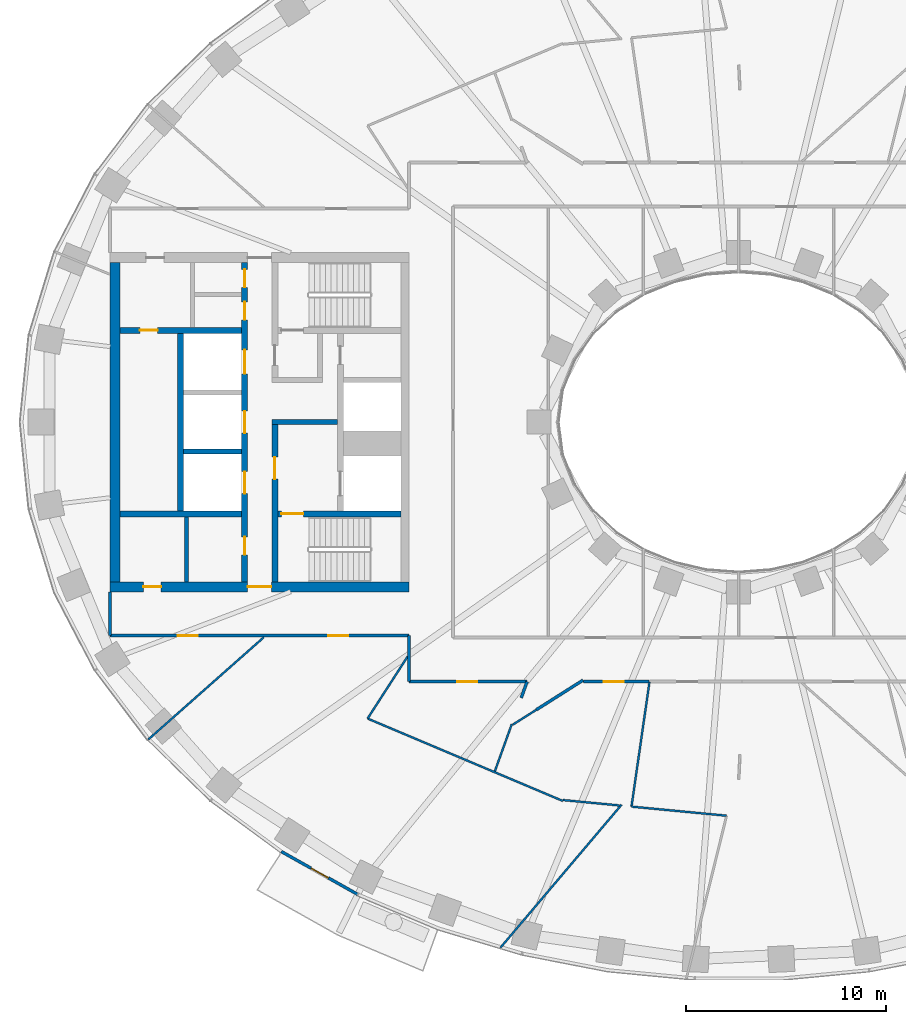
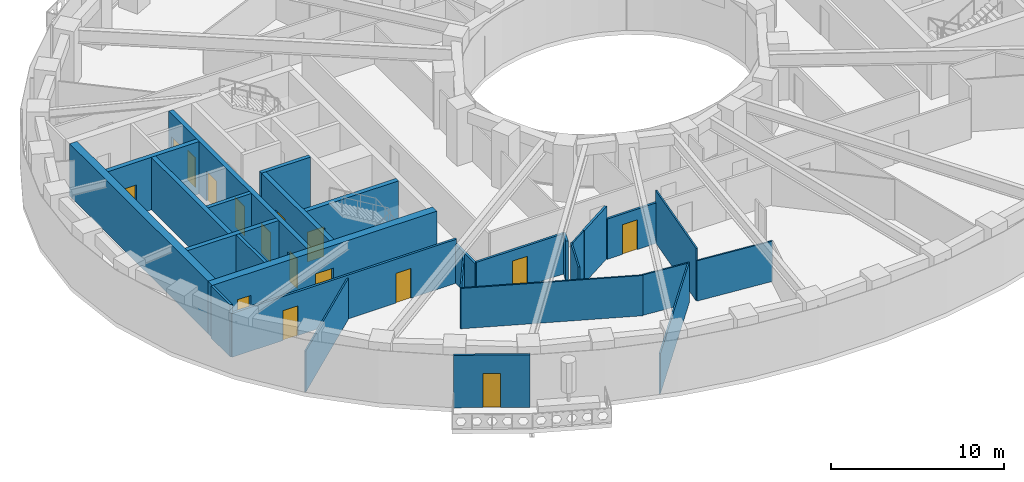
# One storey, part 3 of 15: 28 walls, 16 doors, 16 openings.
"""IFC4 building model written with IfcOpenShell, lengths in metres."""

from ifc_helpers import new_model, si_unit, direction, frame, frame_2d, origin, place, context, subcontext, project, spatial, rectangle, extrude, material, layer, layer_set, type_object, element, fill, save


model = new_model("IFC4")

# Units and contexts
model_context = context("Model", 3, precision=1e-05, world=origin(), true_north=direction((0.0, 1.0)))
body_context = subcontext(model_context, "Body", "Model", "MODEL_VIEW")
ifc_project = project(units=[si_unit("LENGTHUNIT", "METRE"), si_unit("AREAUNIT", "SQUARE_METRE"), si_unit("VOLUMEUNIT", "CUBIC_METRE"), si_unit("PLANEANGLEUNIT", "RADIAN"), si_unit("MASSUNIT", "GRAM", prefix="KILO")], contexts=[model_context])

# Site, building, storey
site_placement = place(None, origin())
site = spatial("IfcSite", under=ifc_project, at=site_placement, CompositionType="ELEMENT")
building_placement = place(site_placement, origin())
building = spatial("IfcBuilding", under=site, at=building_placement, Name="Noorbagh Ring Tower", CompositionType="ELEMENT")
storey_placement = place(building_placement, frame((0.0, 0.0, 92.0)))
storey = spatial("IfcBuildingStorey", under=building, at=storey_placement, Name="L20", CompositionType="ELEMENT", Elevation=92.0)

# Walls
ifc_material_1 = material(Name="Gypsum board on steel studs", Category="steel")
ifc_layer_1 = layer(ifc_material_1, 0.199951171875)
ifc_layer_set_1 = layer_set([ifc_layer_1], Name="Gypsum board on steel studs")
wall_type_1 = type_object("IfcWallType", Name="CORE-PARTITION-200", PredefinedType="PARTITIONING", material=ifc_layer_set_1)
wall_1_placement = place(storey_placement, frame((-27.64990234375, -8.0, 0.0), z_axis=(0.0, 0.0, 1.0), x_axis=(0.0, 1.0, 0.0)))
element("IfcWall", 1, at=wall_1_placement, inside=storey, type_object=wall_type_1, Name="Core partition W", PredefinedType="PARTITIONING", context=body_context, shape_type="SweptSolid", body=[
    extrude(rectangle(XDim=3.25, YDim=0.199951171875, at=frame_2d((1.625, 0.0))), origin(), (0.0, 0.0, 1.0), 3.699951171875),
])
ifc_material_2 = material(Name="Concrete C70/85", Category="concrete")
ifc_layer_2 = layer(ifc_material_2, 0.25)
ifc_layer_set_2 = layer_set([ifc_layer_2], Name="Concrete C70/85")
wall_type_2 = type_object("IfcWallType", Name="CORE-WALL-250-C70-85-EI120", PredefinedType="SHEAR", material=ifc_layer_set_2)
wall_2_placement = place(storey_placement, frame((-24.89990234375, -1.47509765625, 0.0), z_axis=(0.0, 0.0, 1.0), x_axis=(-1.0, 0.0, 0.0)))
element("IfcWall", 2, at=wall_2_placement, inside=storey, type_object=wall_type_2, Name="Core wall W", PredefinedType="SHEAR", context=body_context, shape_type="SweptSolid", body=[
    extrude(rectangle(XDim=2.900146484375, YDim=0.25, at=frame_2d((1.4501953125, 0.0))), origin(), (0.0, 0.0, 1.0), 3.699951171875),
])
ifc_material_3 = material(Name="Concrete C70/85", Category="concrete")
ifc_layer_3 = layer(ifc_material_3, 0.25)
ifc_layer_set_3 = layer_set([ifc_layer_3], Name="Concrete C70/85")
wall_type_3 = type_object("IfcWallType", Name="CORE-WALL-250-C70-85-EI240", PredefinedType="SHEAR", material=ifc_layer_set_3)
wall_3_placement = place(storey_placement, frame((-20.10009765625, 0.0, 0.0), z_axis=(0.0, 0.0, 1.0), x_axis=(-1.0, 0.0, 0.0)))
element("IfcWall", 3, at=wall_3_placement, inside=storey, type_object=wall_type_3, Name="Core wall W", PredefinedType="SHEAR", context=body_context, shape_type="SweptSolid", body=[
    extrude(rectangle(XDim=3.27978515625, YDim=0.25, at=frame_2d((1.639892578125, 0.0))), origin(), (0.0, 0.0, 1.0), 3.699951171875),
])
ifc_material_4 = material(Name="Concrete C70/85", Category="concrete")
ifc_layer_4 = layer(ifc_material_4, 0.300048828125)
ifc_layer_set_4 = layer_set([ifc_layer_4], Name="Concrete C70/85")
wall_type_4 = type_object("IfcWallType", Name="CORE-WALL-300-C70-85-EI120", PredefinedType="SHEAR", material=ifc_layer_set_4)
wall_4_placement = place(storey_placement, frame((-27.949951171875, -4.449951171875, 0.0), z_axis=(0.0, 0.0, 1.0), x_axis=(0.0, 1.0, 0.0)))
element("IfcWall", 4, at=wall_4_placement, inside=storey, type_object=wall_type_4, Name="Core wall W", PredefinedType="SHEAR", context=body_context, shape_type="SweptSolid", body=[
    extrude(rectangle(XDim=8.89990234375, YDim=0.300048828125, at=frame_2d((4.449951171875, 0.0))), origin(), (0.0, 0.0, 1.0), 3.699951171875),
])

# Wall, openings, doors
wall_5_placement = place(storey_placement, frame((-24.75, -8.0, 0.0), z_axis=(0.0, 0.0, 1.0), x_axis=(0.0, 1.0, 0.0)))
wall_5 = element("IfcWall", 5, at=wall_5_placement, inside=storey, type_object=wall_type_4, Name="Core wall W", PredefinedType="SHEAR", context=body_context, shape_type="SweptSolid", body=[
    extrude(rectangle(XDim=16.0, YDim=0.300048828125, at=frame_2d((8.0, 0.0))), origin(), (0.0, 0.0, 1.0), 3.699951171875),
])
opening_1_placement = place(wall_5_placement, frame((4.425048828125, 0.0, 0.0)))
opening_1 = element("IfcOpeningElement", 6, at=opening_1_placement, cuts=wall_5, Name="Opening L20-CW02", PredefinedType="OPENING", context=body_context, shape_type="SweptSolid", body=[
    extrude(rectangle(XDim=1.10009765625, YDim=2.10009765625, at=frame_2d((0.550048828125, 1.050048828125))), frame((0.0, 0.16015625, 0.0), z_axis=(0.0, -1.0, 0.0), x_axis=(1.0, 0.0, 0.0)), (0.0, 0.0, 1.0), 0.320068359375),
])
opening_2_placement = place(wall_5_placement, frame((7.449951171875, 0.0, 0.0)))
opening_2 = element("IfcOpeningElement", 7, at=opening_2_placement, cuts=wall_5, Name="Opening L20-CW03", PredefinedType="OPENING", context=body_context, shape_type="SweptSolid", body=[
    extrude(rectangle(XDim=1.10009765625, YDim=2.10009765625, at=frame_2d((0.550048828125, 1.050048828125))), frame((0.0, 0.16015625, 0.0), z_axis=(0.0, -1.0, 0.0), x_axis=(1.0, 0.0, 0.0)), (0.0, 0.0, 1.0), 0.320068359375),
])
opening_3_placement = place(wall_5_placement, frame((10.425048828125, 0.0, 0.0)))
opening_3 = element("IfcOpeningElement", 8, at=opening_3_placement, cuts=wall_5, Name="Opening L20-CW04", PredefinedType="OPENING", context=body_context, shape_type="SweptSolid", body=[
    extrude(rectangle(XDim=1.199951171875, YDim=2.10009765625, at=frame_2d((0.60009765625, 1.050048828125))), frame((0.0, 0.16015625, 0.0), z_axis=(0.0, -1.0, 0.0), x_axis=(1.0, 0.0, 0.0)), (0.0, 0.0, 1.0), 0.320068359375),
])
opening_4_placement = place(wall_5_placement, frame((13.125, 0.0, 0.0)))
opening_4 = element("IfcOpeningElement", 9, at=opening_4_placement, cuts=wall_5, Name="Opening L20-CW12", PredefinedType="OPENING", context=body_context, shape_type="SweptSolid", body=[
    extrude(rectangle(XDim=0.89990234375, YDim=2.10009765625, at=frame_2d((0.449951171875, 1.050048828125))), frame((0.0, 0.16015625, 0.0), z_axis=(0.0, -1.0, 0.0), x_axis=(1.0, 0.0, 0.0)), (0.0, 0.0, 1.0), 0.320068359375),
])
opening_5_placement = place(wall_5_placement, frame((14.75, 0.0, 0.0)))
opening_5 = element("IfcOpeningElement", 10, at=opening_5_placement, cuts=wall_5, Name="Opening L20-CW13", PredefinedType="OPENING", context=body_context, shape_type="SweptSolid", body=[
    extrude(rectangle(XDim=0.89990234375, YDim=2.10009765625, at=frame_2d((0.449951171875, 1.050048828125))), frame((0.0, 0.16015625, 0.0), z_axis=(0.0, -1.0, 0.0), x_axis=(1.0, 0.0, 0.0)), (0.0, 0.0, 1.0), 0.320068359375),
])
opening_6_placement = place(wall_5_placement, frame((1.35009765625, 0.0, 0.0)))
opening_6 = element("IfcOpeningElement", 11, at=opening_6_placement, cuts=wall_5, Name="Opening L20-CW15", PredefinedType="OPENING", context=body_context, shape_type="SweptSolid", body=[
    extrude(rectangle(XDim=0.89990234375, YDim=2.10009765625, at=frame_2d((0.449951171875, 1.050048828125))), frame((0.0, 0.16015625, 0.0), z_axis=(0.0, -1.0, 0.0), x_axis=(1.0, 0.0, 0.0)), (0.0, 0.0, 1.0), 0.320068359375),
])
ifc_material_5 = material(Name="Steel door leaf", Category="steel")
door_type_1 = type_object("IfcDoorType", Name="CORE-DOOR-DROOM", OperationType="SINGLE_SWING_LEFT", PredefinedType="DOOR", material=ifc_material_5)
door_1_placement = place(opening_4_placement, origin())
door_1 = element("IfcDoor", 12, at=door_1_placement, inside=storey, type_object=door_type_1, Name="Core room door L20-CW12", OperationType="SINGLE_SWING_LEFT", OverallHeight=2.10009765625, OverallWidth=0.89990234375, PredefinedType="DOOR", context=body_context, shape_type="SweptSolid", body=[
    extrude(rectangle(XDim=0.89990234375, YDim=2.10009765625, at=frame_2d((0.449951171875, 1.050048828125))), frame((0.0, 0.02490234375, 0.0), z_axis=(0.0, -1.0, 0.0), x_axis=(1.0, 0.0, 0.0)), (0.0, 0.0, 1.0), 0.050048828125),
])
fill(opening_4, door_1)
door_2_placement = place(opening_5_placement, origin())
door_2 = element("IfcDoor", 13, at=door_2_placement, inside=storey, type_object=door_type_1, Name="Core room door L20-CW13", OperationType="SINGLE_SWING_RIGHT", OverallHeight=2.10009765625, OverallWidth=0.89990234375, PredefinedType="DOOR", context=body_context, shape_type="SweptSolid", body=[
    extrude(rectangle(XDim=0.89990234375, YDim=2.10009765625, at=frame_2d((0.449951171875, 1.050048828125))), frame((0.0, 0.02490234375, 0.0), z_axis=(0.0, -1.0, 0.0), x_axis=(1.0, 0.0, 0.0)), (0.0, 0.0, 1.0), 0.050048828125),
])
fill(opening_5, door_2)
door_3_placement = place(opening_6_placement, origin())
door_3 = element("IfcDoor", 14, at=door_3_placement, inside=storey, type_object=door_type_1, Name="Core room door L20-CW15", OperationType="SINGLE_SWING_LEFT", OverallHeight=2.10009765625, OverallWidth=0.89990234375, PredefinedType="DOOR", context=body_context, shape_type="SweptSolid", body=[
    extrude(rectangle(XDim=0.89990234375, YDim=2.10009765625, at=frame_2d((0.449951171875, 1.050048828125))), frame((0.0, 0.02490234375, 0.0), z_axis=(0.0, -1.0, 0.0), x_axis=(1.0, 0.0, 0.0)), (0.0, 0.0, 1.0), 0.050048828125),
])
fill(opening_6, door_3)
ifc_material_6 = material(Name="Steel door leaf", Category="steel")
door_type_2 = type_object("IfcDoorType", Name="CORE-DOOR-LD", OperationType="DOUBLE_DOOR_SLIDING", PredefinedType="DOOR", material=ifc_material_6)
door_4_placement = place(opening_1_placement, origin())
door_4 = element("IfcDoor", 15, at=door_4_placement, inside=storey, type_object=door_type_2, Name="Landing door LR1 L20-CW02", OperationType="DOUBLE_DOOR_SLIDING", OverallHeight=2.10009765625, OverallWidth=1.10009765625, PredefinedType="DOOR", context=body_context, shape_type="SweptSolid", body=[
    extrude(rectangle(XDim=1.10009765625, YDim=2.10009765625, at=frame_2d((0.550048828125, 1.050048828125))), frame((0.0, 0.02490234375, 0.0), z_axis=(0.0, -1.0, 0.0), x_axis=(1.0, 0.0, 0.0)), (0.0, 0.0, 1.0), 0.050048828125),
])
fill(opening_1, door_4)
door_5_placement = place(opening_2_placement, origin())
door_5 = element("IfcDoor", 16, at=door_5_placement, inside=storey, type_object=door_type_2, Name="Landing door LR2 L20-CW03", OperationType="DOUBLE_DOOR_SLIDING", OverallHeight=2.10009765625, OverallWidth=1.10009765625, PredefinedType="DOOR", context=body_context, shape_type="SweptSolid", body=[
    extrude(rectangle(XDim=1.10009765625, YDim=2.10009765625, at=frame_2d((0.550048828125, 1.050048828125))), frame((0.0, 0.02490234375, 0.0), z_axis=(0.0, -1.0, 0.0), x_axis=(1.0, 0.0, 0.0)), (0.0, 0.0, 1.0), 0.050048828125),
])
fill(opening_2, door_5)
ifc_material_7 = material(Name="Steel door leaf", Category="steel")
door_type_3 = type_object("IfcDoorType", Name="CORE-DOOR-LDW", OperationType="DOUBLE_DOOR_SLIDING", PredefinedType="DOOR", material=ifc_material_7)
door_6_placement = place(opening_3_placement, origin())
door_6 = element("IfcDoor", 17, at=door_6_placement, inside=storey, type_object=door_type_3, Name="Landing door SV1 L20-CW04", OperationType="DOUBLE_DOOR_SLIDING", OverallHeight=2.10009765625, OverallWidth=1.199951171875, PredefinedType="DOOR", context=body_context, shape_type="SweptSolid", body=[
    extrude(rectangle(XDim=1.199951171875, YDim=2.10009765625, at=frame_2d((0.60009765625, 1.050048828125))), frame((0.0, 0.02490234375, 0.0), z_axis=(0.0, -1.0, 0.0), x_axis=(1.0, 0.0, 0.0)), (0.0, 0.0, 1.0), 0.050048828125),
])
fill(opening_3, door_6)

# Wall, opening, door
ifc_material_8 = material(Name="Concrete C70/85", Category="concrete")
ifc_layer_5 = layer(ifc_material_8, 0.300048828125)
ifc_layer_set_5 = layer_set([ifc_layer_5], Name="Concrete C70/85")
wall_type_5 = type_object("IfcWallType", Name="CORE-WALL-300-C70-85-EI240", PredefinedType="SHEAR", material=ifc_layer_set_5)
wall_6_placement = place(storey_placement, frame((-24.89990234375, 4.60009765625, 0.0), z_axis=(0.0, 0.0, 1.0), x_axis=(-1.0, 0.0, 0.0)))
wall_6 = element("IfcWall", 18, at=wall_6_placement, inside=storey, type_object=wall_type_5, Name="Core wall W", PredefinedType="SHEAR", context=body_context, shape_type="SweptSolid", body=[
    extrude(rectangle(XDim=6.10009765625, YDim=0.300048828125, at=frame_2d((3.050048828125, 0.0))), origin(), (0.0, 0.0, 1.0), 3.699951171875),
])
opening_7_placement = place(wall_6_placement, frame((4.199951171875, 0.0, 0.0)))
opening_7 = element("IfcOpeningElement", 19, at=opening_7_placement, cuts=wall_6, Name="Opening L20-CW17", PredefinedType="OPENING", context=body_context, shape_type="SweptSolid", body=[
    extrude(rectangle(XDim=0.89990234375, YDim=2.10009765625, at=frame_2d((0.449951171875, 1.050048828125))), frame((0.0, 0.16015625, 0.0), z_axis=(0.0, -1.0, 0.0), x_axis=(1.0, 0.0, 0.0)), (0.0, 0.0, 1.0), 0.320068359375),
])
door_7_placement = place(opening_7_placement, origin())
door_7 = element("IfcDoor", 20, at=door_7_placement, inside=storey, type_object=door_type_1, Name="Core room door L20-CW17", OperationType="SINGLE_SWING_LEFT", OverallHeight=2.10009765625, OverallWidth=0.89990234375, PredefinedType="DOOR", context=body_context, shape_type="SweptSolid", body=[
    extrude(rectangle(XDim=0.89990234375, YDim=2.10009765625, at=frame_2d((0.449951171875, 1.050048828125))), frame((0.0, 0.02490234375, 0.0), z_axis=(0.0, -1.0, 0.0), x_axis=(1.0, 0.0, 0.0)), (0.0, 0.0, 1.0), 0.050048828125),
])
fill(opening_7, door_7)

# Wall
wall_7_placement = place(storey_placement, frame((-24.89990234375, -4.60009765625, 0.0), z_axis=(0.0, 0.0, 1.0), x_axis=(-1.0, 0.0, 0.0)))
element("IfcWall", 21, at=wall_7_placement, inside=storey, type_object=wall_type_5, Name="Core wall W", PredefinedType="SHEAR", context=body_context, shape_type="SweptSolid", body=[
    extrude(rectangle(XDim=6.10009765625, YDim=0.300048828125, at=frame_2d((3.050048828125, 0.0))), origin(), (0.0, 0.0, 1.0), 3.699951171875),
])

# Wall, opening, door
wall_8_placement = place(storey_placement, frame((-23.22998046875, -8.0, 0.0), z_axis=(0.0, 0.0, 1.0), x_axis=(0.0, 1.0, 0.0)))
wall_8 = element("IfcWall", 22, at=wall_8_placement, inside=storey, type_object=wall_type_5, Name="Core wall W", PredefinedType="SHEAR", context=body_context, shape_type="SweptSolid", body=[
    extrude(rectangle(XDim=7.875, YDim=0.300048828125, at=frame_2d((3.9375, 0.0))), origin(), (0.0, 0.0, 1.0), 3.699951171875),
])
opening_8_placement = place(wall_8_placement, frame((5.14990234375, 0.0, 0.0)))
opening_8 = element("IfcOpeningElement", 23, at=opening_8_placement, cuts=wall_8, Name="Opening L20-CW07", PredefinedType="OPENING", context=body_context, shape_type="SweptSolid", body=[
    extrude(rectangle(XDim=1.10009765625, YDim=2.10009765625, at=frame_2d((0.550048828125, 1.050048828125))), frame((0.0, 0.16015625, 0.0), z_axis=(0.0, -1.0, 0.0), x_axis=(1.0, 0.0, 0.0)), (0.0, 0.0, 1.0), 0.320068359375),
])
ifc_material_9 = material(Name="Steel door leaf", Category="steel")
door_type_4 = type_object("IfcDoorType", Name="CORE-DOOR-DFF", OperationType="SINGLE_SWING_LEFT", PredefinedType="DOOR", material=ifc_material_9)
door_8_placement = place(opening_8_placement, origin())
door_8 = element("IfcDoor", 24, at=door_8_placement, inside=storey, type_object=door_type_4, Name="Firefighting lobby door L20-CW07", OperationType="SINGLE_SWING_LEFT", OverallHeight=2.10009765625, OverallWidth=1.10009765625, PredefinedType="DOOR", context=body_context, shape_type="SweptSolid", body=[
    extrude(rectangle(XDim=1.10009765625, YDim=2.10009765625, at=frame_2d((0.550048828125, 1.050048828125))), frame((0.0, 0.02490234375, 0.0), z_axis=(0.0, -1.0, 0.0), x_axis=(1.0, 0.0, 0.0)), (0.0, 0.0, 1.0), 0.050048828125),
])
fill(opening_8, door_8)

wall_9_placement = place(storey_placement, frame((-16.89990234375, -4.60009765625, 0.0), z_axis=(0.0, 0.0, 1.0), x_axis=(-1.0, 0.0, 0.0)))
wall_9 = element("IfcWall", 25, at=wall_9_placement, inside=storey, type_object=wall_type_5, Name="Core wall W", PredefinedType="SHEAR", context=body_context, shape_type="SweptSolid", body=[
    extrude(rectangle(XDim=6.18017578125, YDim=0.300048828125, at=frame_2d((3.090087890625, 0.0))), origin(), (0.0, 0.0, 1.0), 3.699951171875),
])
opening_9_placement = place(wall_9_placement, frame((4.89990234375, 0.0, 0.0)))
opening_9 = element("IfcOpeningElement", 26, at=opening_9_placement, cuts=wall_9, Name="Opening L20-CW06", PredefinedType="OPENING", context=body_context, shape_type="SweptSolid", body=[
    extrude(rectangle(XDim=1.10009765625, YDim=2.10009765625, at=frame_2d((0.550048828125, 1.050048828125))), frame((0.0, 0.16015625, 0.0), z_axis=(0.0, -1.0, 0.0), x_axis=(1.0, 0.0, 0.0)), (0.0, 0.0, 1.0), 0.320068359375),
])
ifc_material_10 = material(Name="Steel door leaf", Category="steel")
door_type_5 = type_object("IfcDoorType", Name="CORE-DOOR-DSTAIR", OperationType="SINGLE_SWING_LEFT", PredefinedType="DOOR", material=ifc_material_10)
door_9_placement = place(opening_9_placement, origin())
door_9 = element("IfcDoor", 27, at=door_9_placement, inside=storey, type_object=door_type_5, Name="Stair door ST2 L20-CW06", OperationType="SINGLE_SWING_LEFT", OverallHeight=2.10009765625, OverallWidth=1.10009765625, PredefinedType="DOOR", context=body_context, shape_type="SweptSolid", body=[
    extrude(rectangle(XDim=1.10009765625, YDim=2.10009765625, at=frame_2d((0.550048828125, 1.050048828125))), frame((0.0, 0.02490234375, 0.0), z_axis=(0.0, -1.0, 0.0), x_axis=(1.0, 0.0, 0.0)), (0.0, 0.0, 1.0), 0.050048828125),
])
fill(opening_9, door_9)

# Wall, openings, doors
ifc_material_11 = material(Name="Concrete C70/85", Category="concrete")
ifc_layer_6 = layer(ifc_material_11, 0.5)
ifc_layer_set_6 = layer_set([ifc_layer_6], Name="Concrete C70/85")
wall_type_6 = type_object("IfcWallType", Name="CORE-WALL-500-C70-85-EI240", PredefinedType="SHEAR", material=ifc_layer_set_6)
wall_10_placement = place(storey_placement, frame((-16.5, -8.25, 0.0), z_axis=(0.0, 0.0, 1.0), x_axis=(-1.0, 0.0, 0.0)))
wall_10 = element("IfcWall", 28, at=wall_10_placement, inside=storey, type_object=wall_type_6, Name="Core wall W", PredefinedType="SHEAR", context=body_context, shape_type="SweptSolid", body=[
    extrude(rectangle(XDim=15.0, YDim=0.5, at=frame_2d((7.5, 0.0))), origin(), (0.0, 0.0, 1.0), 3.699951171875),
])
opening_10_placement = place(wall_10_placement, frame((6.89990234375, 0.0, 0.0)))
opening_10 = element("IfcOpeningElement", 29, at=opening_10_placement, cuts=wall_10, Name="Opening L20-CW10", PredefinedType="OPENING", context=body_context, shape_type="SweptSolid", body=[
    extrude(rectangle(XDim=1.199951171875, YDim=2.10009765625, at=frame_2d((0.60009765625, 1.050048828125))), frame((0.0, 0.260009765625, 0.0), z_axis=(0.0, -1.0, 0.0), x_axis=(1.0, 0.0, 0.0)), (0.0, 0.0, 1.0), 0.52001953125),
])
opening_11_placement = place(wall_10_placement, frame((12.425048828125, 0.0, 0.0)))
opening_11 = element("IfcOpeningElement", 30, at=opening_11_placement, cuts=wall_10, Name="Opening L20-CW16", PredefinedType="OPENING", context=body_context, shape_type="SweptSolid", body=[
    extrude(rectangle(XDim=0.89990234375, YDim=2.10009765625, at=frame_2d((0.449951171875, 1.050048828125))), frame((0.0, 0.260009765625, 0.0), z_axis=(0.0, -1.0, 0.0), x_axis=(1.0, 0.0, 0.0)), (0.0, 0.0, 1.0), 0.52001953125),
])
door_10_placement = place(opening_11_placement, origin())
door_10 = element("IfcDoor", 31, at=door_10_placement, inside=storey, type_object=door_type_1, Name="Core room door L20-CW16", OperationType="SINGLE_SWING_LEFT", OverallHeight=2.10009765625, OverallWidth=0.89990234375, PredefinedType="DOOR", context=body_context, shape_type="SweptSolid", body=[
    extrude(rectangle(XDim=0.89990234375, YDim=2.10009765625, at=frame_2d((0.449951171875, 1.050048828125))), frame((0.0, 0.02490234375, 0.0), z_axis=(0.0, -1.0, 0.0), x_axis=(1.0, 0.0, 0.0)), (0.0, 0.0, 1.0), 0.050048828125),
])
fill(opening_11, door_10)
ifc_material_12 = material(Name="Steel door leaf", Category="steel")
door_type_6 = type_object("IfcDoorType", Name="CORE-DOOR-PORT", OperationType="DOUBLE_DOOR_DOUBLE_SWING", PredefinedType="DOOR", material=ifc_material_12)
door_11_placement = place(opening_10_placement, origin())
door_11 = element("IfcDoor", 32, at=door_11_placement, inside=storey, type_object=door_type_6, Name="Core entrance door L20-CW10", OperationType="DOUBLE_DOOR_DOUBLE_SWING", OverallHeight=2.10009765625, OverallWidth=1.199951171875, PredefinedType="DOOR", context=body_context, shape_type="SweptSolid", body=[
    extrude(rectangle(XDim=1.199951171875, YDim=2.10009765625, at=frame_2d((0.60009765625, 1.050048828125))), frame((0.0, 0.02490234375, 0.0), z_axis=(0.0, -1.0, 0.0), x_axis=(1.0, 0.0, 0.0)), (0.0, 0.0, 1.0), 0.050048828125),
])
fill(opening_10, door_11)

# Walls
wall_11_placement = place(storey_placement, frame((-31.25, -8.0, 0.0), z_axis=(0.0, 0.0, 1.0), x_axis=(0.0, 1.0, 0.0)))
element("IfcWall", 33, at=wall_11_placement, inside=storey, type_object=wall_type_6, Name="Core wall W", PredefinedType="SHEAR", context=body_context, shape_type="SweptSolid", body=[
    extrude(rectangle(XDim=16.0, YDim=0.5, at=frame_2d((8.0, 0.0))), origin(), (0.0, 0.0, 1.0), 3.699951171875),
])
ifc_material_13 = material(Name="Gypsum board on steel studs", Category="steel")
ifc_layer_7 = layer(ifc_material_13, 0.14990234375)
ifc_layer_set_7 = layer_set([ifc_layer_7], Name="Gypsum board on steel studs")
wall_type_7 = type_object("IfcWallType", Name="CORRIDOR PARTITION 150 EI 30", PredefinedType="PARTITIONING", material=ifc_layer_set_7)
wall_12_placement = place(storey_placement, frame((-31.5, -10.699951171875, 0.0), z_axis=(0.0, 0.0, 1.0), x_axis=(0.0, 1.0, 0.0)))
element("IfcWall", 34, at=wall_12_placement, inside=storey, type_object=wall_type_7, Name="L20/wall/P02", PredefinedType="PARTITIONING", context=body_context, shape_type="SweptSolid", body=[
    extrude(rectangle(XDim=2.199951171875, YDim=0.14990234375, at=frame_2d((1.10009765625, 0.0))), origin(), (0.0, 0.0, 1.0), 3.699951171875),
])

# Wall, openings, doors
wall_13_placement = place(storey_placement, frame((-31.5, -10.699951171875, 0.0), z_axis=(0.0, 0.0, 1.0), x_axis=(1.0, 0.0, 0.0)))
wall_13 = element("IfcWall", 35, at=wall_13_placement, inside=storey, type_object=wall_type_7, Name="L20/wall/P03", PredefinedType="PARTITIONING", context=body_context, shape_type="SweptSolid", body=[
    extrude(rectangle(XDim=15.0, YDim=0.14990234375, at=frame_2d((7.5, 0.0))), origin(), (0.0, 0.0, 1.0), 3.10009765625),
])
opening_12_placement = place(wall_13_placement, frame((3.39990234375, 0.0, 0.0)))
opening_12 = element("IfcOpeningElement", 36, at=opening_12_placement, cuts=wall_13, Name="Opening D1", PredefinedType="OPENING", context=body_context, shape_type="SweptSolid", body=[
    extrude(rectangle(XDim=1.0, YDim=2.10009765625, at=frame_2d((0.5, 1.050048828125))), frame((0.0, 0.0849609375, 0.0), z_axis=(0.0, -1.0, 0.0), x_axis=(1.0, 0.0, 0.0)), (0.0, 0.0, 1.0), 0.169921875),
])
opening_13_placement = place(wall_13_placement, frame((10.947998046875, 0.0, 0.0)))
opening_13 = element("IfcOpeningElement", 37, at=opening_13_placement, cuts=wall_13, Name="Opening D1", PredefinedType="OPENING", context=body_context, shape_type="SweptSolid", body=[
    extrude(rectangle(XDim=1.0, YDim=2.10009765625, at=frame_2d((0.5, 1.050048828125))), frame((0.0, 0.0849609375, 0.0), z_axis=(0.0, -1.0, 0.0), x_axis=(1.0, 0.0, 0.0)), (0.0, 0.0, 1.0), 0.169921875),
])
ifc_material_14 = material(Name="Timber, painted", Category="wood")
door_type_7 = type_object("IfcDoorType", Name="DOOR 1000 X 2100 FD30", OperationType="SINGLE_SWING_LEFT", PredefinedType="DOOR", material=ifc_material_14)
door_12_placement = place(opening_12_placement, origin())
door_12 = element("IfcDoor", 38, at=door_12_placement, inside=storey, type_object=door_type_7, Name="L20-D06", OperationType="SINGLE_SWING_RIGHT", OverallHeight=2.10009765625, OverallWidth=1.0, PredefinedType="DOOR", context=body_context, shape_type="SweptSolid", body=[
    extrude(rectangle(XDim=1.0, YDim=2.10009765625, at=frame_2d((0.5, 1.050048828125))), frame((0.0, 0.02490234375, 0.0), z_axis=(0.0, -1.0, 0.0), x_axis=(1.0, 0.0, 0.0)), (0.0, 0.0, 1.0), 0.050048828125),
])
fill(opening_12, door_12)
door_13_placement = place(opening_13_placement, origin())
door_13 = element("IfcDoor", 39, at=door_13_placement, inside=storey, type_object=door_type_7, Name="L20-D08", OperationType="SINGLE_SWING_RIGHT", OverallHeight=2.10009765625, OverallWidth=1.0, PredefinedType="DOOR", context=body_context, shape_type="SweptSolid", body=[
    extrude(rectangle(XDim=1.0, YDim=2.10009765625, at=frame_2d((0.5, 1.050048828125))), frame((0.0, 0.02490234375, 0.0), z_axis=(0.0, -1.0, 0.0), x_axis=(1.0, 0.0, 0.0)), (0.0, 0.0, 1.0), 0.050048828125),
])
fill(opening_13, door_13)

# Wall
wall_14_placement = place(storey_placement, frame((-16.5, -13.0, 0.0), z_axis=(0.0, 0.0, 1.0), x_axis=(0.0, 1.0, 0.0)))
element("IfcWall", 40, at=wall_14_placement, inside=storey, type_object=wall_type_7, Name="L20/wall/P12", PredefinedType="PARTITIONING", context=body_context, shape_type="SweptSolid", body=[
    extrude(rectangle(XDim=2.300048828125, YDim=0.14990234375, at=frame_2d((1.14990234375, 0.0))), origin(), (0.0, 0.0, 1.0), 2.75),
])

# Wall, opening, door
wall_15_placement = place(storey_placement, frame((-16.5, -13.0, 0.0), z_axis=(0.0, 0.0, 1.0), x_axis=(1.0, 0.0, 0.0)))
wall_15 = element("IfcWall", 41, at=wall_15_placement, inside=storey, type_object=wall_type_7, Name="L20/wall/P13", PredefinedType="PARTITIONING", context=body_context, shape_type="SweptSolid", body=[
    extrude(rectangle(XDim=5.89306640625, YDim=0.14990234375, at=frame_2d((2.946533203125, 0.0))), origin(), (0.0, 0.0, 1.0), 2.85009765625),
])
opening_14_placement = place(wall_15_placement, frame((2.39990234375, 0.0, 0.0)))
opening_14 = element("IfcOpeningElement", 42, at=opening_14_placement, cuts=wall_15, Name="Opening D1", PredefinedType="OPENING", context=body_context, shape_type="SweptSolid", body=[
    extrude(rectangle(XDim=1.0, YDim=2.10009765625, at=frame_2d((0.5, 1.050048828125))), frame((0.0, 0.0849609375, 0.0), z_axis=(0.0, -1.0, 0.0), x_axis=(1.0, 0.0, 0.0)), (0.0, 0.0, 1.0), 0.169921875),
])
door_14_placement = place(opening_14_placement, origin())
door_14 = element("IfcDoor", 43, at=door_14_placement, inside=storey, type_object=door_type_7, Name="L20-D10", OperationType="SINGLE_SWING_RIGHT", OverallHeight=2.10009765625, OverallWidth=1.0, PredefinedType="DOOR", context=body_context, shape_type="SweptSolid", body=[
    extrude(rectangle(XDim=1.0, YDim=2.10009765625, at=frame_2d((0.5, 1.050048828125))), frame((0.0, 0.02490234375, 0.0), z_axis=(0.0, -1.0, 0.0), x_axis=(1.0, 0.0, 0.0)), (0.0, 0.0, 1.0), 0.050048828125),
])
fill(opening_14, door_14)

# Walls
wall_16_placement = place(storey_placement, frame((-10.887939453125, -13.81396484375, 0.0), z_axis=(0.0, 0.0, 1.0), x_axis=(0.338659506624, 0.940908995904, 0.0)))
element("IfcWall", 44, at=wall_16_placement, inside=storey, type_object=wall_type_7, Name="L20/wall/P25", PredefinedType="PARTITIONING", context=body_context, shape_type="SweptSolid", body=[
    extrude(rectangle(XDim=0.864990234375, YDim=0.14990234375, at=frame_2d((0.4326171875, 0.0))), origin(), (0.0, 0.0, 1.0), 2.85009765625),
])
wall_17_placement = place(storey_placement, frame((-10.136962890625, -14.4130859375, 0.0), z_axis=(0.0, 0.0, 1.0), x_axis=(0.844666662568, 0.535292657475, 0.0)))
element("IfcWall", 45, at=wall_17_placement, inside=storey, type_object=wall_type_7, Name="L20/wall/P27", PredefinedType="PARTITIONING", context=body_context, shape_type="SweptSolid", body=[
    extrude(rectangle(XDim=2.776123046875, YDim=0.14990234375, at=frame_2d((1.38818359375, 0.0))), origin(), (0.0, 0.0, 1.0), 3.699951171875),
])

# Wall, opening, door
wall_18_placement = place(storey_placement, frame((-7.76708984375, -13.0, 0.0), z_axis=(0.0, 0.0, 1.0), x_axis=(1.0, 0.0, 0.0)))
wall_18 = element("IfcWall", 46, at=wall_18_placement, inside=storey, type_object=wall_type_7, Name="L20/wall/P32", PredefinedType="PARTITIONING", context=body_context, shape_type="SweptSolid", body=[
    extrude(rectangle(XDim=3.2880859375, YDim=0.14990234375, at=frame_2d((1.64404296875, 0.0))), origin(), (0.0, 0.0, 1.0), 2.85009765625),
])
opening_15_placement = place(wall_18_placement, frame((1.010009765625, 0.0, 0.0)))
opening_15 = element("IfcOpeningElement", 47, at=opening_15_placement, cuts=wall_18, Name="Opening D1", PredefinedType="OPENING", context=body_context, shape_type="SweptSolid", body=[
    extrude(rectangle(XDim=1.0, YDim=2.10009765625, at=frame_2d((0.5, 1.050048828125))), frame((0.0, 0.0849609375, 0.0), z_axis=(0.0, -1.0, 0.0), x_axis=(1.0, 0.0, 0.0)), (0.0, 0.0, 1.0), 0.169921875),
])
door_15_placement = place(opening_15_placement, origin())
door_15 = element("IfcDoor", 48, at=door_15_placement, inside=storey, type_object=door_type_7, Name="L20-D12", OperationType="SINGLE_SWING_RIGHT", OverallHeight=2.10009765625, OverallWidth=1.0, PredefinedType="DOOR", context=body_context, shape_type="SweptSolid", body=[
    extrude(rectangle(XDim=1.0, YDim=2.10009765625, at=frame_2d((0.5, 1.050048828125))), frame((0.0, 0.02490234375, 0.0), z_axis=(0.0, -1.0, 0.0), x_axis=(1.0, 0.0, 0.0)), (0.0, 0.0, 1.0), 0.050048828125),
])
fill(opening_15, door_15)

ifc_material_15 = material(Name="Insulated aluminium clad panel", Category="aluminium")
ifc_layer_8 = layer(ifc_material_15, 0.14990234375)
ifc_layer_set_8 = layer_set([ifc_layer_8], Name="Insulated aluminium clad panel")
wall_type_8 = type_object("IfcWallType", Name="ENV-WALL-DOOR", PredefinedType="STANDARD", material=ifc_layer_set_8)
wall_19_placement = place(storey_placement, frame((-22.913330078125, -21.508544921875, 0.0), z_axis=(0.0, 0.0, 1.0), x_axis=(0.872046572975, -0.489422899509, 0.0)))
wall_19 = element("IfcWall", 49, at=wall_19_placement, inside=storey, type_object=wall_type_8, Name="Balcony door wall chord 30", PredefinedType="STANDARD", context=body_context, shape_type="SweptSolid", body=[
    extrude(rectangle(XDim=4.425537109375, YDim=0.14990234375, at=frame_2d((2.212890625, 0.0))), origin(), (0.0, 0.0, 1.0), 3.699951171875),
])
opening_16_placement = place(wall_19_placement, frame((1.712646484375, 0.0, 0.0)))
opening_16 = element("IfcOpeningElement", 50, at=opening_16_placement, cuts=wall_19, Name="Opening D-BL", PredefinedType="OPENING", context=body_context, shape_type="SweptSolid", body=[
    extrude(rectangle(XDim=1.0, YDim=2.39990234375, at=frame_2d((0.5, 1.199951171875))), frame((0.0, 0.0849609375, 0.0), z_axis=(0.0, -1.0, 0.0), x_axis=(1.0, 0.0, 0.0)), (0.0, 0.0, 1.0), 0.169921875),
])
ifc_material_16 = material(Name="Aluminium and glass", Category="aluminium")
door_type_8 = type_object("IfcDoorType", Name="ENV-DOOR-BALCONY", OperationType="SINGLE_SWING_LEFT", PredefinedType="DOOR", material=ifc_material_16)
door_16_placement = place(opening_16_placement, origin())
door_16 = element("IfcDoor", 51, at=door_16_placement, inside=storey, type_object=door_type_8, Name="Balcony door chord 30", OperationType="SINGLE_SWING_LEFT", OverallHeight=2.39990234375, OverallWidth=1.0, PredefinedType="DOOR", context=body_context, shape_type="SweptSolid", body=[
    extrude(rectangle(XDim=1.0, YDim=2.39990234375, at=frame_2d((0.5, 1.199951171875))), frame((0.0, 0.02490234375, 0.0), z_axis=(0.0, -1.0, 0.0), x_axis=(1.0, 0.0, 0.0)), (0.0, 0.0, 1.0), 0.050048828125),
])
fill(opening_16, door_16)

# Walls
ifc_material_17 = material(Name="Gypsum board on steel studs", Category="steel")
ifc_layer_9 = layer(ifc_material_17, 0.10009765625)
ifc_layer_set_9 = layer_set([ifc_layer_9], Name="Gypsum board on steel studs")
wall_type_9 = type_object("IfcWallType", Name="PARTITION 100 GYPSUM", PredefinedType="PARTITIONING", material=ifc_layer_set_9)
wall_20_placement = place(storey_placement, frame((-29.569091796875, -15.89501953125, 0.0), z_axis=(0.0, 0.0, 1.0), x_axis=(0.748985701008, 0.662586160198, 0.0)))
element("IfcWall", 52, at=wall_20_placement, inside=storey, type_object=wall_type_9, Name="L20/wall/P06", PredefinedType="PARTITIONING", context=body_context, shape_type="SweptSolid", body=[
    extrude(rectangle(XDim=7.72265625, YDim=0.10009765625, at=frame_2d((3.861328125, 0.0))), origin(), (0.0, 0.0, 1.0), 2.89990234375),
])
wall_21_placement = place(storey_placement, frame((-18.5859375, -14.84912109375, 0.0), z_axis=(0.0, 0.0, 1.0), x_axis=(0.542227325377, 0.840231829684, 0.0)))
element("IfcWall", 53, at=wall_21_placement, inside=storey, type_object=wall_type_9, Name="L20/wall/P08", PredefinedType="PARTITIONING", context=body_context, shape_type="SweptSolid", body=[
    extrude(rectangle(XDim=3.708740234375, YDim=0.10009765625, at=frame_2d((1.8544921875, 0.0))), origin(), (0.0, 0.0, 1.0), 2.75),
])
wall_22_placement = place(storey_placement, frame((-18.5859375, -14.84912109375, 0.0), z_axis=(0.0, 0.0, 1.0), x_axis=(0.921309292198, -0.388830539066, 0.0)))
element("IfcWall", 54, at=wall_22_placement, inside=storey, type_object=wall_type_9, Name="L20/wall/P09", PredefinedType="PARTITIONING", context=body_context, shape_type="SweptSolid", body=[
    extrude(rectangle(XDim=10.608642578125, YDim=0.10009765625, at=frame_2d((5.30419921875, 0.0))), origin(), (0.0, 0.0, 1.0), 2.85009765625),
])
wall_23_placement = place(storey_placement, frame((-12.208984375, -17.486083984375, 0.0), z_axis=(0.0, 0.0, 1.0), x_axis=(0.338698771758, 0.940894862357, 0.0)))
element("IfcWall", 55, at=wall_23_placement, inside=storey, type_object=wall_type_9, Name="L20/wall/P19", PredefinedType="PARTITIONING", context=body_context, shape_type="SweptSolid", body=[
    extrude(rectangle(XDim=2.50634765625, YDim=0.10009765625, at=frame_2d((1.253173828125, 0.0))), origin(), (0.0, 0.0, 1.0), 3.699951171875),
])
wall_24_placement = place(storey_placement, frame((-11.925048828125, -26.322998046875, 0.0), z_axis=(0.0, 0.0, 1.0), x_axis=(0.646476265577, 0.762934098101, 0.0)))
element("IfcWall", 56, at=wall_24_placement, inside=storey, type_object=wall_type_9, Name="L20/wall/P21", PredefinedType="PARTITIONING", context=body_context, shape_type="SweptSolid", body=[
    extrude(rectangle(XDim=9.383544921875, YDim=0.10009765625, at=frame_2d((4.69189453125, 0.0))), origin(), (0.0, 0.0, 1.0), 2.85009765625),
])
wall_25_placement = place(storey_placement, frame((-11.319091796875, -15.160888671875, 0.0), z_axis=(0.0, 0.0, 1.0), x_axis=(0.845102975348, 0.534603555037, 0.0)))
element("IfcWall", 57, at=wall_25_placement, inside=storey, type_object=wall_type_9, Name="L20/wall/P23", PredefinedType="PARTITIONING", context=body_context, shape_type="SweptSolid", body=[
    extrude(rectangle(XDim=1.398681640625, YDim=0.10009765625, at=frame_2d((0.69921875, 0.0))), origin(), (0.0, 0.0, 1.0), 3.699951171875),
])
wall_26_placement = place(storey_placement, frame((-8.802001953125, -18.931884765625, 0.0), z_axis=(0.0, 0.0, 1.0), x_axis=(0.995447320833, -0.095313332995, 0.0)))
element("IfcWall", 58, at=wall_26_placement, inside=storey, type_object=wall_type_9, Name="L20/wall/P30", PredefinedType="PARTITIONING", context=body_context, shape_type="SweptSolid", body=[
    extrude(rectangle(XDim=2.85595703125, YDim=0.10009765625, at=frame_2d((1.427978515625, 0.0))), origin(), (0.0, 0.0, 1.0), 2.85009765625),
])
wall_27_placement = place(storey_placement, frame((-5.364013671875, -19.260986328125, 0.0), z_axis=(0.0, 0.0, 1.0), x_axis=(0.142999851524, 0.989722709886, 0.0)))
element("IfcWall", 59, at=wall_27_placement, inside=storey, type_object=wall_type_9, Name="L20/wall/P34", PredefinedType="PARTITIONING", context=body_context, shape_type="SweptSolid", body=[
    extrude(rectangle(XDim=6.322021484375, YDim=0.10009765625, at=frame_2d((3.1611328125, 0.0))), origin(), (0.0, 0.0, 1.0), 3.699951171875),
])
wall_28_placement = place(storey_placement, frame((-5.364013671875, -19.260986328125, 0.0), z_axis=(0.0, 0.0, 1.0), x_axis=(0.995450891917, -0.095276029415, 0.0)))
element("IfcWall", 60, at=wall_28_placement, inside=storey, type_object=wall_type_9, Name="L20/wall/P35", PredefinedType="PARTITIONING", context=body_context, shape_type="SweptSolid", body=[
    extrude(rectangle(XDim=4.78662109375, YDim=0.10009765625, at=frame_2d((2.393310546875, 0.0))), origin(), (0.0, 0.0, 1.0), 2.85009765625),
])

save(model, "model.ifc")
